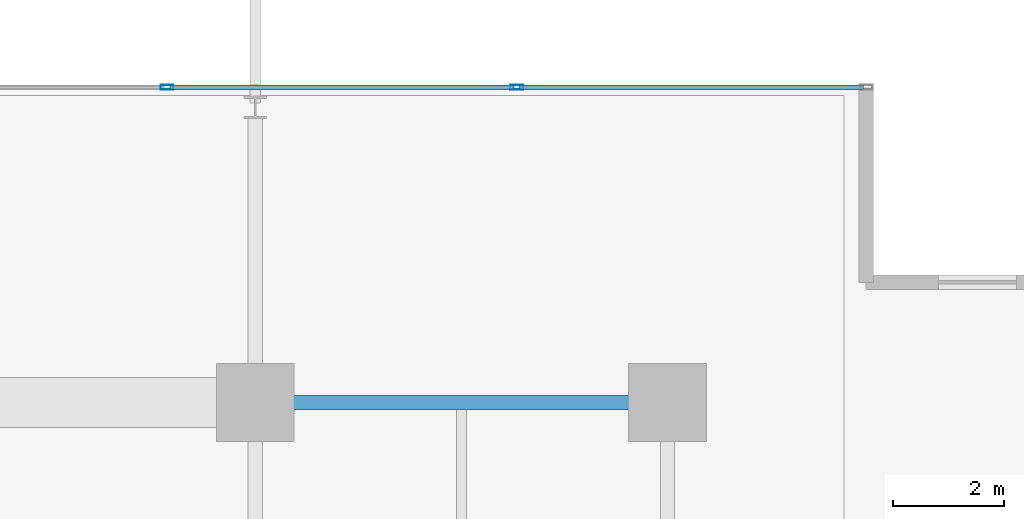
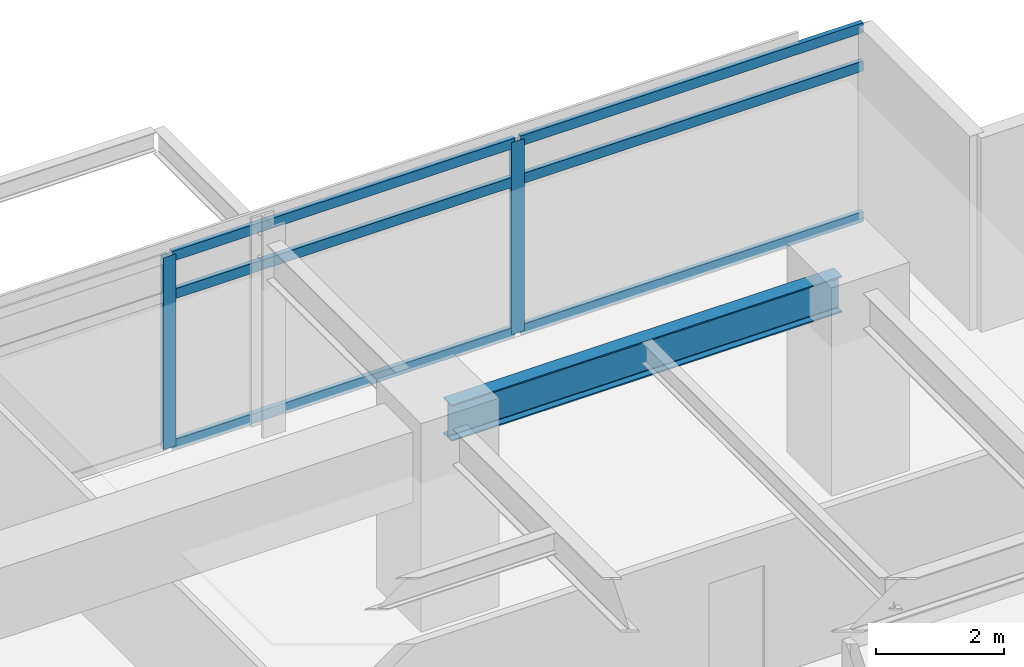
# One storey, part 11 of 22: 8 members, 1 beam, 1 element without a shape of its own.
"""IFC4 building model written with IfcOpenShell, lengths in metres."""

from ifc_helpers import new_model, si_unit, direction, frame, origin, origin_2d, place, context, subcontext, project, spatial, hollow_rectangle, i_section, extrude, material, material_profile, profile_set, type_object, element, aggregate, save


model = new_model("IFC4")

# Units and contexts
model_context = context("Model", 3, precision=1e-05, world=origin(), true_north=direction((0.0, 1.0)))
body_context = subcontext(model_context, "Body", "Model", "MODEL_VIEW")
ifc_project = project(units=[si_unit("LENGTHUNIT", "METRE"), si_unit("AREAUNIT", "SQUARE_METRE"), si_unit("VOLUMEUNIT", "CUBIC_METRE"), si_unit("PLANEANGLEUNIT", "RADIAN"), si_unit("MASSUNIT", "GRAM", prefix="KILO")], contexts=[model_context])

# Site, building, storey
site_placement = place(None, origin())
site = spatial("IfcSite", under=ifc_project, at=site_placement, CompositionType="ELEMENT")
building_placement = place(site_placement, origin())
building = spatial("IfcBuilding", under=site, at=building_placement, Name="Kovane Verandah Tower", CompositionType="ELEMENT")
storey_placement = place(building_placement, frame((0.0, 0.0, 229.199951171875)))
storey = spatial("IfcBuildingStorey", under=building, at=storey_placement, Name="L53", CompositionType="ELEMENT", Elevation=229.199951171875)

# Beam
ifc_material_1 = material(Name="Steel S355", Category="steel")
ifc_material_profile_1 = material_profile(ifc_material_1, i_section(OverallWidth=0.255859375, OverallDepth=0.69287109375, WebThickness=0.014404296875, FlangeThickness=0.023681640625, FilletRadius=0.01513671875, at=origin_2d()), Name="UB686x254x170")
ifc_profile_set_1 = profile_set([ifc_material_profile_1], Name="Steel S355")
beam_type = type_object("IfcBeamType", Name="BM-UB686x170", PredefinedType="BEAM", material=ifc_profile_set_1)
beam_placement = place(storey_placement, frame((51.179931640625, 44.199951171875, 3.353759765625), z_axis=(1.0, 0.0, 0.0), x_axis=(0.0, 1.0, 0.0)))
element("IfcBeam", 1, at=beam_placement, inside=storey, type_object=beam_type, Name="L53 Primary Tower Girder G-RN3", PredefinedType="BEAM", context=body_context, shape_type="SweptSolid", body=[
    extrude(i_section(OverallWidth=0.255859375, OverallDepth=0.69287109375, WebThickness=0.014404296875, FlangeThickness=0.023681640625, FilletRadius=0.01513671875, at=origin_2d()), origin(), (0.0, 0.0, 1.0), 7.0400390625),
])

# Curtain wall, members
ifc_material_2 = material(Name="Champagne Anodised Aluminium Frame with Low-E Clear Laminated Glass", Category="aluminium")
curtain_wall_type = type_object("IfcCurtainWallType", Name="CW-SYS-03-MID", PredefinedType="NOTDEFINED", material=ifc_material_2)
curtain_wall_placement = place(storey_placement, origin())
curtain_wall = element("IfcCurtainWall", 2, at=curtain_wall_placement, inside=storey, type_object=curtain_wall_type, Name="L53 N Unitised Curtain Wall", PredefinedType="NOTDEFINED")
ifc_material_3 = material(Name="Champagne Anodised Aluminium 6063-T6", Category="aluminium")
ifc_material_profile_2 = material_profile(ifc_material_3, hollow_rectangle(XDim=0.0849609375, YDim=0.22998046875, WallThickness=0.00390625, at=origin_2d()), Name="AL85x230x4")
ifc_profile_set_2 = profile_set([ifc_material_profile_2], Name="Champagne Anodised Aluminium 6063-T6")
member_type_1 = type_object("IfcMemberType", Name="CW-MUL-85x230", PredefinedType="MULLION", material=ifc_profile_set_2)
member_1_placement = place(storey_placement, frame((55.6923828125, 49.860107421875, 0.02001953125), z_axis=(0.0, 0.0, 1.0), x_axis=(0.0, 1.0, 0.0)))
member_1 = element("IfcMember", 3, at=member_1_placement, type_object=member_type_1, Name="L53 N Unitised Curtain Wall Mullion 2", PredefinedType="MULLION", context=body_context, shape_type="SweptSolid", body=[
    extrude(hollow_rectangle(XDim=0.0849609375, YDim=0.22998046875, WallThickness=0.00390625, at=origin_2d()), origin(), (0.0, 0.0, 1.0), 3.659912109375),
])
member_2_placement = place(storey_placement, frame((49.415283203125, 49.860107421875, 0.02001953125), z_axis=(0.0, 0.0, 1.0), x_axis=(0.0, 1.0, 0.0)))
member_2 = element("IfcMember", 4, at=member_2_placement, type_object=member_type_1, Name="L53 N Unitised Curtain Wall Mullion 3", PredefinedType="MULLION", context=body_context, shape_type="SweptSolid", body=[
    extrude(hollow_rectangle(XDim=0.0849609375, YDim=0.22998046875, WallThickness=0.00390625, at=origin_2d()), origin(), (0.0, 0.0, 1.0), 3.659912109375),
])
ifc_material_profile_3 = material_profile(ifc_material_3, hollow_rectangle(XDim=0.0849609375, YDim=0.18994140625, WallThickness=0.00390625, at=origin_2d()), Name="AL85x190x4")
ifc_profile_set_3 = profile_set([ifc_material_profile_3], Name="Champagne Anodised Aluminium 6063-T6")
member_type_2 = type_object("IfcMemberType", Name="CW-TRN-85x190", PredefinedType="USERDEFINED", material=ifc_profile_set_3)
member_3_placement = place(storey_placement, frame((61.919189453125, 49.860107421875, 0.050048828125), z_axis=(-1.0, 0.0, 0.0), x_axis=(0.0, -1.0, 0.0)))
member_3 = element("IfcMember", 5, at=member_3_placement, type_object=member_type_2, Name="L53 N Unitised Curtain Wall Transom TB Bay 1", ObjectType="TRANSOM", PredefinedType="USERDEFINED", context=body_context, shape_type="SweptSolid", body=[
    extrude(hollow_rectangle(XDim=0.0849609375, YDim=0.18994140625, WallThickness=0.00390625, at=origin_2d()), origin(), (0.0, 0.0, 1.0), 6.1767578125),
])
member_4_placement = place(storey_placement, frame((61.919189453125, 49.860107421875, 2.920166015625), z_axis=(-1.0, 0.0, 0.0), x_axis=(0.0, -1.0, 0.0)))
member_4 = element("IfcMember", 6, at=member_4_placement, type_object=member_type_2, Name="L53 N Unitised Curtain Wall Transom TM Bay 1", ObjectType="TRANSOM", PredefinedType="USERDEFINED", context=body_context, shape_type="SweptSolid", body=[
    extrude(hollow_rectangle(XDim=0.0849609375, YDim=0.18994140625, WallThickness=0.00390625, at=origin_2d()), origin(), (0.0, 0.0, 1.0), 6.1767578125),
])
member_5_placement = place(storey_placement, frame((61.919189453125, 49.860107421875, 3.650146484375), z_axis=(-1.0, 0.0, 0.0), x_axis=(0.0, -1.0, 0.0)))
member_5 = element("IfcMember", 7, at=member_5_placement, type_object=member_type_2, Name="L53 N Unitised Curtain Wall Transom TT Bay 1", ObjectType="TRANSOM", PredefinedType="USERDEFINED", context=body_context, shape_type="SweptSolid", body=[
    extrude(hollow_rectangle(XDim=0.0849609375, YDim=0.18994140625, WallThickness=0.00390625, at=origin_2d()), origin(), (0.0, 0.0, 1.0), 6.1767578125),
])
member_6_placement = place(storey_placement, frame((55.642333984375, 49.860107421875, 0.050048828125), z_axis=(-1.0, 0.0, 0.0), x_axis=(0.0, -1.0, 0.0)))
member_6 = element("IfcMember", 8, at=member_6_placement, type_object=member_type_2, Name="L53 N Unitised Curtain Wall Transom TB Bay 2", ObjectType="TRANSOM", PredefinedType="USERDEFINED", context=body_context, shape_type="SweptSolid", body=[
    extrude(hollow_rectangle(XDim=0.0849609375, YDim=0.18994140625, WallThickness=0.00390625, at=origin_2d()), origin(), (0.0, 0.0, 1.0), 6.177001953125),
])
member_7_placement = place(storey_placement, frame((55.642333984375, 49.860107421875, 2.920166015625), z_axis=(-1.0, 0.0, 0.0), x_axis=(0.0, -1.0, 0.0)))
member_7 = element("IfcMember", 9, at=member_7_placement, type_object=member_type_2, Name="L53 N Unitised Curtain Wall Transom TM Bay 2", ObjectType="TRANSOM", PredefinedType="USERDEFINED", context=body_context, shape_type="SweptSolid", body=[
    extrude(hollow_rectangle(XDim=0.0849609375, YDim=0.18994140625, WallThickness=0.00390625, at=origin_2d()), origin(), (0.0, 0.0, 1.0), 6.177001953125),
])
member_8_placement = place(storey_placement, frame((55.642333984375, 49.860107421875, 3.650146484375), z_axis=(-1.0, 0.0, 0.0), x_axis=(0.0, -1.0, 0.0)))
member_8 = element("IfcMember", 10, at=member_8_placement, type_object=member_type_2, Name="L53 N Unitised Curtain Wall Transom TT Bay 2", ObjectType="TRANSOM", PredefinedType="USERDEFINED", context=body_context, shape_type="SweptSolid", body=[
    extrude(hollow_rectangle(XDim=0.0849609375, YDim=0.18994140625, WallThickness=0.00390625, at=origin_2d()), origin(), (0.0, 0.0, 1.0), 6.177001953125),
])
aggregate(curtain_wall, [member_1, member_2, member_3, member_4, member_5, member_6, member_7, member_8])

save(model, "model.ifc")
